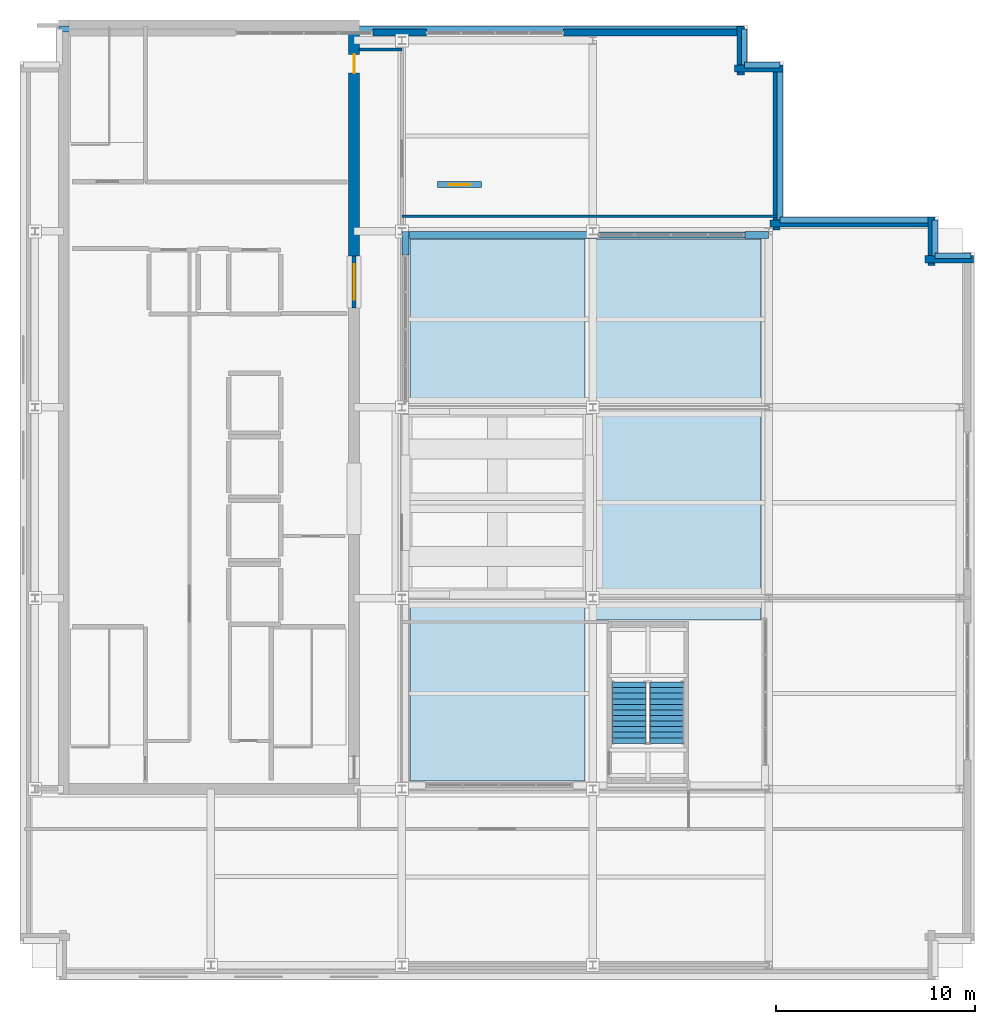
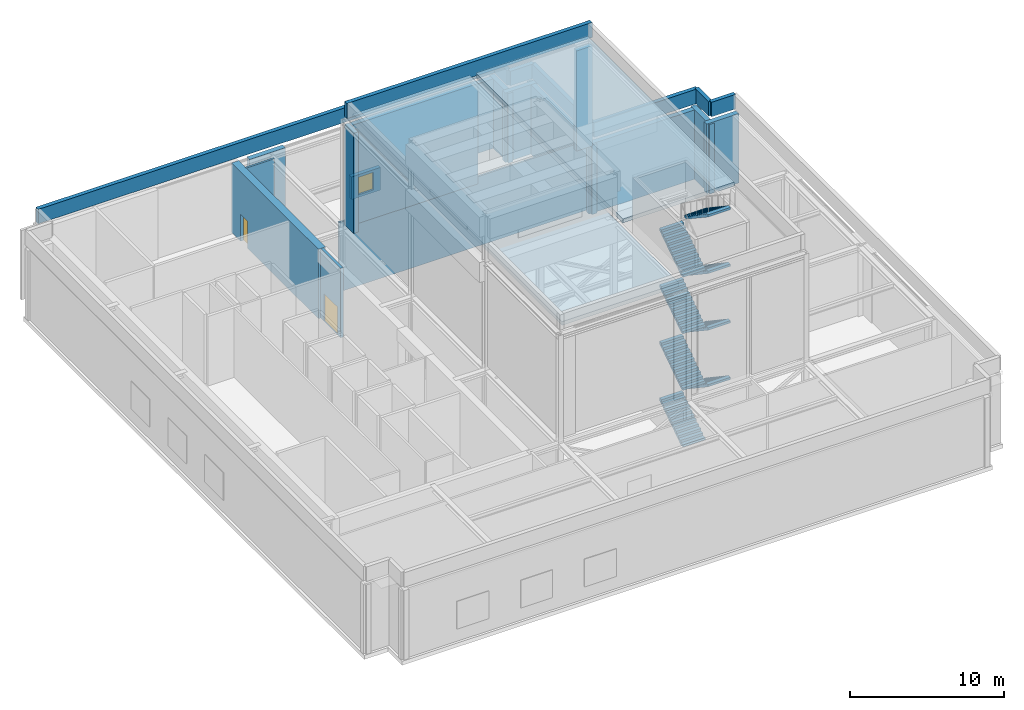
# One storey, part 7 of 17: 24 walls, 8 stair flights, 3 doors, 2 roofs, 3 openings, 1 element without a shape of its own.
"""IFC4 building model written with IfcOpenShell, lengths in metres."""

import ifcopenshell
import ifcopenshell.guid

model = None  # the IFC model being written
_history = None  # IfcOwnerHistory: only IFC2X3 demands one
_inside = {}  # id of a spatial element -> (the spatial element, [elements in it])
_under = {}  # id of a project, library or spatial element -> (it, [spatial elements below it])
_declared = {}  # id of a project -> (the project, [libraries it declares])
_typed = {}  # id of a type object -> (the type object, [elements of that type])
_made_of = {}  # id of a material, layer set ... -> (it, [elements and type objects made of it])


def new_model(schema):
    """Start an empty IFC model of exactly this schema.

    Asked for "IFC4X3", IfcOpenShell would pick the latest addendum, in which some entities
    have other attributes; the version numbers below select the first issue.
    IFC2X3 requires an IfcOwnerHistory on every rooted entity: one is made here for all.
    """
    global model, _history
    if schema == "IFC4X3":
        model = ifcopenshell.file(schema_version=(4, 3, 0, 0))
    else:
        model = ifcopenshell.file(schema=schema)
    _inside.clear()
    _under.clear()
    _declared.clear()
    _typed.clear()
    _made_of.clear()
    _history = None
    if model.schema == "IFC2X3":
        org = make("IfcOrganization", Name="unknown")
        user = make(
            "IfcPersonAndOrganization",
            ThePerson=make("IfcPerson", FamilyName="unknown"),
            TheOrganization=org,
        )
        app = make(
            "IfcApplication",
            ApplicationDeveloper=org,
            Version="unknown",
            ApplicationFullName="unknown",
            ApplicationIdentifier="unknown",
        )
        _history = make(
            "IfcOwnerHistory",
            OwningUser=user,
            OwningApplication=app,
            ChangeAction="ADDED",
            CreationDate=0,
        )
    return model


def make(cls, **values):
    """One entity of the class cls with the attributes given. An attribute that is None is left unset."""
    return model.create_entity(
        cls, **{name: value for name, value in values.items() if value is not None}
    )


def rooted(cls, **values):
    """An entity with a GlobalId (a new one), such as an element, a storey or a relation."""
    return make(cls, GlobalId=ifcopenshell.guid.new(), OwnerHistory=_history, **values)


def si_unit(unit_type, name, prefix=None):
    """IfcSIUnit, for example si_unit("LENGTHUNIT", "METRE", prefix="MILLI")."""
    return make("IfcSIUnit", UnitType=unit_type, Prefix=prefix, Name=name)


def assignment(units):
    """IfcUnitAssignment: the units of a project."""
    return None if units is None else make("IfcUnitAssignment", Units=units)


def point(xyz):
    """IfcCartesianPoint."""
    return None if xyz is None else make("IfcCartesianPoint", Coordinates=xyz)


def direction(xyz):
    """IfcDirection."""
    return None if xyz is None else make("IfcDirection", DirectionRatios=xyz)


def frame(location, z_axis=None, x_axis=None):
    """IfcAxis2Placement3D, a coordinate frame: its origin and axes. An axis left out is left unset."""
    return make(
        "IfcAxis2Placement3D",
        Location=point(location),
        Axis=direction(z_axis),
        RefDirection=direction(x_axis),
    )


def frame_2d(location, x_axis=None):
    """IfcAxis2Placement2D, a coordinate frame in the plane: its origin and x axis."""
    return make(
        "IfcAxis2Placement2D", Location=point(location), RefDirection=direction(x_axis)
    )


def origin():
    """The frame at (0, 0, 0) with its axes left unset."""
    return frame((0.0, 0.0, 0.0))


def place(relative_to, where):
    """IfcLocalPlacement: puts the frame where relative to a parent placement (None: the world)."""
    return make(
        "IfcLocalPlacement", PlacementRelTo=relative_to, RelativePlacement=where
    )


def context(
    kind, dimensions, precision=None, world=None, true_north=None, identifier=None
):
    """IfcGeometricRepresentationContext, for example the 3D "Model" context."""
    return make(
        "IfcGeometricRepresentationContext",
        ContextIdentifier=identifier,
        ContextType=kind,
        CoordinateSpaceDimension=dimensions,
        Precision=precision,
        WorldCoordinateSystem=world,
        TrueNorth=true_north,
    )


def subcontext(parent, identifier, kind, view, scale=None):
    """IfcGeometricRepresentationSubContext, for example "Body" below "Model"."""
    return make(
        "IfcGeometricRepresentationSubContext",
        ContextIdentifier=identifier,
        ContextType=kind,
        ParentContext=parent,
        TargetScale=scale,
        TargetView=view,
    )


def project(units=None, contexts=None):
    """IfcProject with its units and contexts."""
    return rooted(
        "IfcProject",
        Name="project",
        RepresentationContexts=contexts,
        UnitsInContext=assignment(units),
    )


def spatial(cls, under=None, at=None, **own):
    """A site, building, storey or space (cls), placed at a placement, below another one or the project."""
    s = rooted(cls, ObjectPlacement=at, **own)
    if under is not None:
        _under.setdefault(under.id(), (under, []))[1].append(s)
    return s


def polyline(points):
    """IfcPolyline through the points."""
    return make("IfcPolyline", Points=[point(p) for p in points])


def profile(cls, at=None, kind="AREA", **sizes):
    """A parametric profile (cls). Its sizes go by their IFC names, for example OverallWidth=200.0."""
    return make(cls, ProfileType=kind, Position=at, **sizes)


def rectangle(**sizes):
    """IfcRectangleProfileDef."""
    return profile("IfcRectangleProfileDef", **sizes)


def outline(outer, holes=None, kind="AREA"):
    """IfcArbitraryClosedProfileDef: a profile drawn as a closed curve; with holes, ...WithVoids."""
    if holes is None:
        return make("IfcArbitraryClosedProfileDef", ProfileType=kind, OuterCurve=outer)
    return make(
        "IfcArbitraryProfileDefWithVoids",
        ProfileType=kind,
        OuterCurve=outer,
        InnerCurves=holes,
    )


def extrude(swept, where, along, depth):
    """IfcExtrudedAreaSolid: the profile swept, set in the frame where, extruded along a direction by depth."""
    return make(
        "IfcExtrudedAreaSolid",
        SweptArea=swept,
        Position=where,
        ExtrudedDirection=direction(along),
        Depth=depth,
    )


def shape(context_of_items, identifier, shape_type, items):
    """IfcShapeRepresentation: the items that make up one representation, for example the "Body"."""
    return make(
        "IfcShapeRepresentation",
        ContextOfItems=context_of_items,
        RepresentationIdentifier=identifier,
        RepresentationType=shape_type,
        Items=items,
    )


def material(Name=None, Category=None):
    """IfcMaterial."""
    return make("IfcMaterial", Name=Name, Category=Category)


def layer(
    of_material, thickness, ventilated=None, Name=None, Category=None, Priority=None
):
    """IfcMaterialLayer: one layer of a wall or slab, of a material (None: an air gap)."""
    return make(
        "IfcMaterialLayer",
        Material=of_material,
        LayerThickness=thickness,
        IsVentilated=ventilated,
        Name=Name,
        Category=Category,
        Priority=Priority,
    )


def layer_set(layers, Name=None):
    """IfcMaterialLayerSet."""
    return make("IfcMaterialLayerSet", MaterialLayers=layers, LayerSetName=Name)


def made_of(thing, what):
    """Note that an element or type object is made of a material, layer set ...; save() writes the relation."""
    if what is not None:
        _made_of.setdefault(what.id(), (what, []))[1].append(thing)
    return thing


def type_object(cls, material=None, **own):
    """A type object (cls), such as IfcWallType, which elements share."""
    return made_of(rooted(cls, **own), material)


def element(
    cls,
    number,
    at=None,
    inside=None,
    cuts=None,
    type_object=None,
    material=None,
    context=None,
    identifier="Body",
    shape_type=None,
    held_by="IfcProductDefinitionShape",
    body=None,
    shapes=None,
    **own,
):
    """One element of the class cls, such as IfcWall. Its Tag is "e" and its number.

    at: its placement. inside: the storey or other place that contains it. cuts: it is an
    opening in that element (IfcRelVoidsElement). A single representation is given by context,
    identifier, shape_type and body (its items); several are given by shapes. held_by: the class
    of the entity that holds the representations. save() writes the other relations.
    """
    e = rooted(cls, Tag="e%d" % number, ObjectPlacement=at, **own)
    if body is not None:
        shapes = [shape(context, identifier, shape_type, body)]
    if shapes is not None:
        e.Representation = make(held_by, Representations=shapes)
    if inside is not None:
        _inside.setdefault(inside.id(), (inside, []))[1].append(e)
    if cuts is not None:
        rooted(
            "IfcRelVoidsElement", RelatingBuildingElement=cuts, RelatedOpeningElement=e
        )
    if type_object is not None:
        _typed.setdefault(type_object.id(), (type_object, []))[1].append(e)
    return made_of(e, material)


def fill(opening, filler):
    """IfcRelFillsElement: the door or window that sits in an opening."""
    return rooted(
        "IfcRelFillsElement",
        RelatingOpeningElement=opening,
        RelatedBuildingElement=filler,
    )


def aggregate(whole, parts):
    """IfcRelAggregates: a whole, such as a stair, and the parts it consists of."""
    return rooted("IfcRelAggregates", RelatingObject=whole, RelatedObjects=parts)


def save(model, path):
    """Write the relations noted so far, then the file.

    IfcRelAggregates (storeys below a building ...), IfcRelContainedInSpatialStructure (elements
    in a storey), IfcRelDefinesByType, IfcRelAssociatesMaterial and IfcRelDeclares: one each for
    every whole, place, type object, material and project.
    """
    for whole, parts in _under.values():
        aggregate(whole, parts)
    for where, things in _inside.values():
        rooted(
            "IfcRelContainedInSpatialStructure",
            RelatedElements=things,
            RelatingStructure=where,
        )
    for kind, things in _typed.values():
        rooted("IfcRelDefinesByType", RelatedObjects=things, RelatingType=kind)
    for what, things in _made_of.values():
        rooted("IfcRelAssociatesMaterial", RelatedObjects=things, RelatingMaterial=what)
    for by, libraries in _declared.values():
        rooted("IfcRelDeclares", RelatingContext=by, RelatedDefinitions=libraries)
    model.write(path)


model = new_model("IFC4")

# Units and contexts
model_context = context("Model", 3, precision=1e-05, world=origin(), true_north=direction((0.0, 1.0)))
body_context = subcontext(model_context, "Body", "Model", "MODEL_VIEW")
ifc_project = project(units=[si_unit("LENGTHUNIT", "METRE"), si_unit("AREAUNIT", "SQUARE_METRE"), si_unit("VOLUMEUNIT", "CUBIC_METRE"), si_unit("PLANEANGLEUNIT", "RADIAN"), si_unit("MASSUNIT", "GRAM", prefix="KILO")], contexts=[model_context])

# Site, building, storey
site_placement = place(None, origin())
site = spatial("IfcSite", under=ifc_project, at=site_placement, CompositionType="ELEMENT")
building_placement = place(site_placement, origin())
building = spatial("IfcBuilding", under=site, at=building_placement, Name="Norrvale University Quadrangle", CompositionType="ELEMENT")
storey_placement = place(building_placement, frame((0.0, 0.0, 308.0)))
storey = spatial("IfcBuildingStorey", under=building, at=storey_placement, Name="L78", CompositionType="ELEMENT", Elevation=308.0)

# Wall, opening, door
ifc_material_1 = material(Name="Concrete C60/75", Category="concrete")
ifc_layer_1 = layer(ifc_material_1, 0.550048828125, Name="Concrete C60/75")
ifc_layer_set_1 = layer_set([ifc_layer_1], Name="Concrete C60/75")
wall_type_1 = type_object("IfcWallType", Name="Wall Core 550", PredefinedType="SHEAR", material=ifc_layer_set_1)
wall_1_placement = place(storey_placement, frame((16.800048828125, 36.39990234375, 0.0), z_axis=(0.0, 0.0, 1.0), x_axis=(0.0, 1.0, 0.0)))
wall_1 = element("IfcWall", 1, at=wall_1_placement, inside=storey, type_object=wall_type_1, Name="Tower Core Shear Wall L78-E3", PredefinedType="SHEAR", context=body_context, shape_type="SweptSolid", body=[
    extrude(rectangle(XDim=11.3251953125, YDim=0.550048828125, at=frame_2d((5.66259765625, 0.0))), origin(), (0.0, 0.0, 1.0), 5.52001953125),
])
opening_1_placement = place(wall_1_placement, frame((9.199951171875, 0.0, 0.0)))
opening_1 = element("IfcOpeningElement", 2, at=opening_1_placement, cuts=wall_1, Name="Opening D07", PredefinedType="OPENING", context=body_context, shape_type="SweptSolid", body=[
    extrude(rectangle(XDim=0.949951171875, YDim=2.14990234375, at=frame_2d((0.47509765625, 1.074951171875))), frame((0.0, 0.287109375, 0.0), z_axis=(0.0, -1.0, 0.0), x_axis=(1.0, 0.0, 0.0)), (0.0, 0.0, 1.0), 0.573974609375),
])
ifc_material_2 = material(Name="Solid-Core Maple Door", Category="wood")
door_type_1 = type_object("IfcDoorType", Name="Door Office 950x2150", OperationType="NOTDEFINED", PredefinedType="DOOR", material=ifc_material_2)
door_1_placement = place(opening_1_placement, origin())
door_1 = element("IfcDoor", 3, at=door_1_placement, inside=storey, type_object=door_type_1, Name="Door Office 950x2150 DR-L78-NECORR", OperationType="SINGLE_SWING_LEFT", OverallHeight=2.14990234375, OverallWidth=0.949951171875, PredefinedType="DOOR", context=body_context, shape_type="SweptSolid", body=[
    extrude(rectangle(XDim=0.949951171875, YDim=2.14990234375, at=frame_2d((0.47509765625, 1.074951171875))), frame((0.0, 0.02490234375, 0.0), z_axis=(0.0, -1.0, 0.0), x_axis=(1.0, 0.0, 0.0)), (0.0, 0.0, 1.0), 0.050048828125),
])
fill(opening_1, door_1)

# Walls
ifc_material_3 = material(Name="Red Manganese Brick Masonry", Category="masonry")
ifc_layer_2 = layer(ifc_material_3, 0.360107421875, Name="Red Manganese Brick Masonry")
ifc_layer_set_2 = layer_set([ifc_layer_2], Name="Red Manganese Brick Masonry")
wall_type_2 = type_object("IfcWallType", Name="Wall Crown Brick 360", PredefinedType="SOLIDWALL", material=ifc_layer_set_2)
wall_2_placement = place(storey_placement, frame((47.9599609375, 36.239990234375, 0.0), z_axis=(0.0, 0.0, 1.0), x_axis=(-1.0, 0.0, 0.0)))
element("IfcWall", 4, at=wall_2_placement, inside=storey, type_object=wall_type_2, Name="Exterior Brick Facade Wall L78-05.1", PredefinedType="SOLIDWALL", context=body_context, shape_type="SweptSolid", body=[
    extrude(rectangle(XDim=2.43994140625, YDim=0.360107421875, at=frame_2d((1.219970703125, 0.0))), origin(), (0.0, 0.0, 1.0), 5.52001953125),
])
wall_3_placement = place(storey_placement, frame((45.840087890625, 35.919921875, 0.0), z_axis=(0.0, 0.0, 1.0), x_axis=(0.0, 1.0, 0.0)))
element("IfcWall", 5, at=wall_3_placement, inside=storey, type_object=wall_type_2, Name="Exterior Brick Facade Wall L78-06.1", PredefinedType="SOLIDWALL", context=body_context, shape_type="SweptSolid", body=[
    extrude(rectangle(XDim=2.440185546875, YDim=0.360107421875, at=frame_2d((1.22021484375, 0.0))), origin(), (0.0, 0.0, 1.0), 5.52001953125),
])
for number, where, z_axis, x_axis, name in (
    (6, (46.159912109375, 38.0400390625, 0.0), (0.0, 0.0, 1.0), (-1.0, 0.0, 0.0), "Exterior Brick Facade Wall L78-07.1"),
    (7, (38.0400390625, 37.719970703125, 0.0), (0.0, 0.0, 1.0), (0.0, 1.0, 0.0), "Exterior Brick Facade Wall L78-08.1"),
):
    element("IfcWall", number, at=place(storey_placement, frame(where, z_axis=z_axis, x_axis=x_axis)), inside=storey, type_object=wall_type_2, Name=name, PredefinedType="SOLIDWALL", context=body_context, shape_type="SweptSolid", body=[
        extrude(rectangle(XDim=8.43994140625, YDim=0.360107421875, at=frame_2d((4.219970703125, 0.0))), origin(), (0.0, 0.0, 1.0), 5.52001953125),
    ])
wall_4_placement = place(storey_placement, frame((38.360107421875, 45.840087890625, 0.0), z_axis=(0.0, 0.0, 1.0), x_axis=(-1.0, 0.0, 0.0)))
element("IfcWall", 8, at=wall_4_placement, inside=storey, type_object=wall_type_2, Name="Exterior Brick Facade Wall L78-09.1", PredefinedType="SOLIDWALL", context=body_context, shape_type="SweptSolid", body=[
    extrude(rectangle(XDim=2.440185546875, YDim=0.360107421875, at=frame_2d((1.22021484375, 0.0))), origin(), (0.0, 0.0, 1.0), 5.52001953125),
])
wall_5_placement = place(storey_placement, frame((36.239990234375, 45.52001953125, 0.0), z_axis=(0.0, 0.0, 1.0), x_axis=(0.0, 1.0, 0.0)))
element("IfcWall", 9, at=wall_5_placement, inside=storey, type_object=wall_type_2, Name="Exterior Brick Facade Wall L78-10.1", PredefinedType="SOLIDWALL", context=body_context, shape_type="SweptSolid", body=[
    extrude(rectangle(XDim=2.43994140625, YDim=0.360107421875, at=frame_2d((1.219970703125, 0.0))), origin(), (0.0, 0.0, 1.0), 5.52001953125),
])
wall_6_placement = place(storey_placement, frame((36.239990234375, 47.639892578125, 0.0), z_axis=(0.0, 0.0, 1.0), x_axis=(-1.0, 0.0, 0.0)))
element("IfcWall", 10, at=wall_6_placement, inside=storey, type_object=wall_type_2, Name="Crown Brick Pier 11.1", PredefinedType="SOLIDWALL", context=body_context, shape_type="SweptSolid", body=[
    extrude(rectangle(XDim=8.89990234375, YDim=0.360107421875, at=frame_2d((4.449951171875, 0.0))), origin(), (0.0, 0.0, 1.0), 5.52001953125),
])
wall_7_placement = place(storey_placement, frame((20.43994140625, 47.639892578125, 0.0), z_axis=(0.0, 0.0, 1.0), x_axis=(-1.0, 0.0, 0.0)))
element("IfcWall", 11, at=wall_7_placement, inside=storey, type_object=wall_type_2, Name="Crown Brick Pier 11.2", PredefinedType="SOLIDWALL", context=body_context, shape_type="SweptSolid", body=[
    extrude(rectangle(XDim=2.699951171875, YDim=0.360107421875, at=frame_2d((1.35009765625, 0.0))), origin(), (0.0, 0.0, 1.0), 5.52001953125),
])
wall_8_placement = place(storey_placement, frame((37.64990234375, 37.469970703125, 5.800048828125), z_axis=(0.0, 0.0, 1.0), x_axis=(-1.0, 0.0, 0.0)))
element("IfcWall", 12, at=wall_8_placement, inside=storey, type_object=wall_type_2, Name="Crown Lantern Brick Pier N1", PredefinedType="SOLIDWALL", context=body_context, shape_type="SweptSolid", body=[
    extrude(rectangle(XDim=1.199951171875, YDim=0.360107421875, at=frame_2d((0.60009765625, 0.0))), origin(), (0.0, 0.0, 1.0), 7.9638671875),
])
wall_9_placement = place(storey_placement, frame((29.050048828125, 37.469970703125, 5.800048828125), z_axis=(0.0, 0.0, 1.0), x_axis=(-1.0, 0.0, 0.0)))
element("IfcWall", 13, at=wall_9_placement, inside=storey, type_object=wall_type_2, Name="Crown Lantern Brick Pier N2", PredefinedType="SOLIDWALL", context=body_context, shape_type="SweptSolid", body=[
    extrude(rectangle(XDim=9.85009765625, YDim=0.360107421875, at=frame_2d((4.925048828125, 0.0))), origin(), (0.0, 0.0, 1.0), 7.9638671875),
])
wall_10_placement = place(storey_placement, frame((19.3798828125, 37.64990234375, 5.800048828125), z_axis=(0.0, 0.0, 1.0), x_axis=(0.0, -1.0, 0.0)))
element("IfcWall", 14, at=wall_10_placement, inside=storey, type_object=wall_type_2, Name="Crown Lantern Brick Pier W1", PredefinedType="SOLIDWALL", context=body_context, shape_type="SweptSolid", body=[
    extrude(rectangle(XDim=1.199951171875, YDim=0.360107421875, at=frame_2d((0.60009765625, 0.0))), origin(), (0.0, 0.0, 1.0), 7.9638671875),
])
ifc_material_4 = material(Name="Standard Academic Gypsum Partition")
ifc_layer_3 = layer(ifc_material_4, 0.125, Name="Standard Academic Gypsum Partition")
ifc_layer_set_3 = layer_set([ifc_layer_3], Name="Standard Academic Gypsum Partition")
wall_type_3 = type_object("IfcWallType", Name="Wall Gypsum Academic 125", PredefinedType="PARTITIONING", material=ifc_layer_set_3)
wall_11_placement = place(storey_placement, frame((19.199951171875, 38.39990234375, 0.0), z_axis=(0.0, 0.0, 1.0), x_axis=(1.0, 0.0, 0.0)))
element("IfcWall", 15, at=wall_11_placement, inside=storey, type_object=wall_type_3, Name="Interior Partition WL-L78-CF-S", PredefinedType="PARTITIONING", context=body_context, shape_type="SweptSolid", body=[
    extrude(rectangle(XDim=18.97998046875, YDim=0.125, at=frame_2d((9.489990234375, 0.0))), origin(), (0.0, 0.0, 1.0), 5.52001953125),
])
ifc_material_5 = material(Name="Fire-Rated Gypsum Stud Partition")
ifc_layer_4 = layer(ifc_material_5, 0.14990234375, Name="Fire-Rated Gypsum Stud Partition")
ifc_layer_set_4 = layer_set([ifc_layer_4], Name="Fire-Rated Gypsum Stud Partition")
wall_type_4 = type_object("IfcWallType", Name="Wall Gypsum Corridor 150", PredefinedType="PARTITIONING", material=ifc_layer_set_4)
wall_12_placement = place(storey_placement, frame((17.050048828125, 46.800048828125, 0.0), z_axis=(0.0, 0.0, 1.0), x_axis=(1.0, 0.0, 0.0)))
element("IfcWall", 16, at=wall_12_placement, inside=storey, type_object=wall_type_4, Name="Interior Partition WL-L78-PCN", PredefinedType="PARTITIONING", context=body_context, shape_type="SweptSolid", body=[
    extrude(rectangle(XDim=2.14990234375, YDim=0.14990234375, at=frame_2d((1.074951171875, 0.0))), origin(), (0.0, 0.0, 1.0), 5.52001953125),
])

# Wall, opening, door
ifc_material_6 = material(Name="Concrete Blockwork 20 MPa Rated Wall", Category="masonry")
ifc_layer_5 = layer(ifc_material_6, 0.199951171875, Name="Concrete Blockwork 20 MPa Rated Wall")
ifc_layer_set_5 = layer_set([ifc_layer_5], Name="Concrete Blockwork 20 MPa Rated Wall")
wall_type_5 = type_object("IfcWallType", Name="Wall Lobby 200", PredefinedType="SOLIDWALL", material=ifc_layer_set_5)
wall_13_placement = place(storey_placement, frame((16.800048828125, 33.800048828125, 0.0), z_axis=(0.0, 0.0, 1.0), x_axis=(0.0, 1.0, 0.0)))
wall_13 = element("IfcWall", 17, at=wall_13_placement, inside=storey, type_object=wall_type_5, Name="Interior Partition WL-L78-FFP", PredefinedType="SOLIDWALL", context=body_context, shape_type="SweptSolid", body=[
    extrude(rectangle(XDim=2.599853515625, YDim=0.199951171875, at=frame_2d((1.2998046875, 0.0))), origin(), (0.0, 0.0, 1.0), 5.52001953125),
])
opening_2_placement = place(wall_13_placement, frame((0.39990234375, 0.0, 0.0)))
opening_2 = element("IfcOpeningElement", 18, at=opening_2_placement, cuts=wall_13, Name="Opening D03", PredefinedType="OPENING", context=body_context, shape_type="SweptSolid", body=[
    extrude(rectangle(XDim=1.800048828125, YDim=2.199951171875, at=frame_2d((0.89990234375, 1.10009765625))), frame((0.0, 0.112060546875, 0.0), z_axis=(0.0, -1.0, 0.0), x_axis=(1.0, 0.0, 0.0)), (0.0, 0.0, 1.0), 0.223876953125),
])
ifc_material_7 = material(Name="Hollow Steel 350W Fire Door", Category="steel")
door_type_2 = type_object("IfcDoorType", Name="Door Fire Lobby 1800x2200", OperationType="DOUBLE_DOOR_SINGLE_SWING", PredefinedType="DOOR", material=ifc_material_7)
door_2_placement = place(opening_2_placement, origin())
door_2 = element("IfcDoor", 19, at=door_2_placement, inside=storey, type_object=door_type_2, Name="Door Fire Lobby 1800x2200 DR-L78-FFP", OperationType="DOUBLE_DOOR_SINGLE_SWING", OverallHeight=2.199951171875, OverallWidth=1.800048828125, PredefinedType="DOOR", context=body_context, shape_type="SweptSolid", body=[
    extrude(rectangle(XDim=1.800048828125, YDim=2.199951171875, at=frame_2d((0.89990234375, 1.10009765625))), frame((0.0, 0.02490234375, 0.0), z_axis=(0.0, -1.0, 0.0), x_axis=(1.0, 0.0, 0.0)), (0.0, 0.0, 1.0), 0.050048828125),
])
fill(opening_2, door_2)

# Walls
ifc_material_8 = material(Name="Buff Norman Clay Brick Masonry", Category="masonry")
ifc_layer_6 = layer(ifc_material_8, 0.300048828125, Name="Buff Norman Clay Brick Masonry")
ifc_layer_set_6 = layer_set([ifc_layer_6], Name="Buff Norman Clay Brick Masonry")
wall_type_6 = type_object("IfcWallType", Name="Wall Parapet 300", PredefinedType="PARAPET", material=ifc_layer_set_6)
for number, where, z_axis, x_axis, name in (
    (20, (47.820068359375, 36.419921875, 5.800048828125), (0.0, 0.0, 1.0), (-1.0, 0.0, 0.0), "Crown Lower Deck Parapet 05"),
    (21, (46.02001953125, 36.419921875, 5.800048828125), (0.0, 0.0, 1.0), (0.0, 1.0, 0.0), "Crown Lower Deck Parapet 06"),
):
    element("IfcWall", number, at=place(storey_placement, frame(where, z_axis=z_axis, x_axis=x_axis)), inside=storey, type_object=wall_type_6, Name=name, PredefinedType="PARAPET", context=body_context, shape_type="SweptSolid", body=[
        extrude(rectangle(XDim=1.800048828125, YDim=0.300048828125, at=frame_2d((0.89990234375, 0.0))), origin(), (0.0, 0.0, 1.0), 1.14990234375),
    ])
for number, where, z_axis, x_axis, name in (
    (22, (46.02001953125, 38.219970703125, 5.800048828125), (0.0, 0.0, 1.0), (-1.0, 0.0, 0.0), "Crown Lower Deck Parapet 07"),
    (23, (38.219970703125, 38.219970703125, 5.800048828125), (0.0, 0.0, 1.0), (0.0, 1.0, 0.0), "Crown Lower Deck Parapet 08"),
):
    element("IfcWall", number, at=place(storey_placement, frame(where, z_axis=z_axis, x_axis=x_axis)), inside=storey, type_object=wall_type_6, Name=name, PredefinedType="PARAPET", context=body_context, shape_type="SweptSolid", body=[
        extrude(rectangle(XDim=7.800048828125, YDim=0.300048828125, at=frame_2d((3.89990234375, 0.0))), origin(), (0.0, 0.0, 1.0), 1.14990234375),
    ])
for number, where, z_axis, x_axis, name in (
    (24, (38.219970703125, 46.02001953125, 5.800048828125), (0.0, 0.0, 1.0), (-1.0, 0.0, 0.0), "Crown Lower Deck Parapet 09"),
    (25, (36.419921875, 46.02001953125, 5.800048828125), (0.0, 0.0, 1.0), (0.0, 1.0, 0.0), "Crown Lower Deck Parapet 10"),
):
    element("IfcWall", number, at=place(storey_placement, frame(where, z_axis=z_axis, x_axis=x_axis)), inside=storey, type_object=wall_type_6, Name=name, PredefinedType="PARAPET", context=body_context, shape_type="SweptSolid", body=[
        extrude(rectangle(XDim=1.800048828125, YDim=0.300048828125, at=frame_2d((0.89990234375, 0.0))), origin(), (0.0, 0.0, 1.0), 1.14990234375),
    ])
wall_14_placement = place(storey_placement, frame((36.419921875, 47.820068359375, 5.800048828125), z_axis=(0.0, 0.0, 1.0), x_axis=(-1.0, 0.0, 0.0)))
element("IfcWall", 26, at=wall_14_placement, inside=storey, type_object=wall_type_6, Name="Crown Lower Deck Parapet 11", PredefinedType="PARAPET", context=body_context, shape_type="SweptSolid", body=[
    extrude(rectangle(XDim=34.43994140625, YDim=0.300048828125, at=frame_2d((17.219970703125, 0.0))), origin(), (0.0, 0.0, 1.0), 1.14990234375),
])
wall_15_placement = place(storey_placement, frame((37.64990234375, 37.469970703125, 14.39990234375), z_axis=(0.0, 0.0, 1.0), x_axis=(-1.0, 0.0, 0.0)))
element("IfcWall", 27, at=wall_15_placement, inside=storey, type_object=wall_type_6, Name="Crown Lantern Parapet N", PredefinedType="PARAPET", context=body_context, shape_type="SweptSolid", body=[
    extrude(rectangle(XDim=18.449951171875, YDim=0.300048828125, at=frame_2d((9.22509765625, 0.0))), origin(), (0.0, 0.0, 1.0), 1.2001953125),
])

# Wall, opening, door
wall_16_placement = place(storey_placement, frame((21.0, 40.0, 5.800048828125), z_axis=(0.0, 0.0, 1.0), x_axis=(1.0, 0.0, 0.0)))
wall_16 = element("IfcWall", 28, at=wall_16_placement, inside=storey, type_object=wall_type_6, Name="Crown Roof Maintenance Hatch Curb", PredefinedType="PARAPET", context=body_context, shape_type="SweptSolid", body=[
    extrude(rectangle(XDim=2.199951171875, YDim=0.300048828125, at=frame_2d((1.10009765625, 0.0))), origin(), (0.0, 0.0, 1.0), 1.800048828125),
])
opening_3_placement = place(wall_16_placement, frame((0.550048828125, 0.0, 0.199951171875)))
opening_3 = element("IfcOpeningElement", 29, at=opening_3_placement, cuts=wall_16, Name="Opening DH1", PredefinedType="OPENING", context=body_context, shape_type="SweptSolid", body=[
    extrude(rectangle(XDim=1.10009765625, YDim=1.39990234375, at=frame_2d((0.550048828125, 0.699951171875))), frame((0.0, 0.162109375, 0.0), z_axis=(0.0, -1.0, 0.0), x_axis=(1.0, 0.0, 0.0)), (0.0, 0.0, 1.0), 0.323974609375),
])
ifc_material_9 = material(Name="Anodized Aluminium 6063-T6 Roof Hatch", Category="aluminium")
door_type_3 = type_object("IfcDoorType", Name="Door Roof Hatch 1100x1400", OperationType="NOTDEFINED", PredefinedType="TRAPDOOR", material=ifc_material_9)
door_3_placement = place(opening_3_placement, origin())
door_3 = element("IfcDoor", 30, at=door_3_placement, inside=storey, type_object=door_type_3, Name="Door Roof Hatch 1100x1400 DR-L78-HATCH1", OperationType="SINGLE_SWING_LEFT", OverallHeight=1.39990234375, OverallWidth=1.10009765625, PredefinedType="TRAPDOOR", context=body_context, shape_type="SweptSolid", body=[
    extrude(rectangle(XDim=1.10009765625, YDim=1.39990234375, at=frame_2d((0.550048828125, 0.699951171875))), frame((0.0, 0.02490234375, 0.0), z_axis=(0.0, -1.0, 0.0), x_axis=(1.0, 0.0, 0.0)), (0.0, 0.0, 1.0), 0.050048828125),
])
fill(opening_3, door_3)

# Stair, stair flights
ifc_material_10 = material(Name="Concrete C40/50", Category="concrete")
stair_type = type_object("IfcStairType", Name="Stair Tower Crown 5800", PredefinedType="TWO_STRAIGHT_RUN_STAIR", material=ifc_material_10)
stair_placement = place(storey_placement, origin())
stair = element("IfcStair", 31, at=stair_placement, inside=storey, type_object=stair_type, Name="Crown Spire Access Stair ST-04 L78", PredefinedType="TWO_STRAIGHT_RUN_STAIR")
stair_flight_type = type_object("IfcStairFlightType", Name="Flight Typ 1500", PredefinedType="STRAIGHT", material=ifc_material_10)
stair_flight_1_placement = place(storey_placement, frame((30.6298828125, 11.89990234375, 0.0), z_axis=(0.0, 0.0, 1.0), x_axis=(0.0, 1.0, 0.0)))
stair_flight_1 = element("IfcStairFlight", 32, at=stair_flight_1_placement, type_object=stair_flight_type, Name="Crown Access Stair ST-04 L78 Flight 1", NumberOfRisers=12, NumberOfTreads=11, PredefinedType="STRAIGHT", RiserHeight=0.1875, TreadLength=0.28, context=body_context, shape_type="SweptSolid", body=[
    extrude(outline(polyline([(0.0, 0.0), (0.0, 0.1875), (0.280029296875, 0.1875), (0.280029296875, 0.375), (0.56005859375, 0.375), (0.56005859375, 0.5625), (0.840087890625, 0.5625), (0.840087890625, 0.75), (1.1201171875, 0.75), (1.1201171875, 0.9375), (1.39990234375, 0.9375), (1.39990234375, 1.125), (1.679931640625, 1.125), (1.679931640625, 1.3125), (1.9599609375, 1.3125), (1.9599609375, 1.5), (2.239990234375, 1.5), (2.239990234375, 1.6875), (2.52001953125, 1.6875), (2.52001953125, 1.875), (2.800048828125, 1.875), (2.800048828125, 2.0625), (3.080078125, 2.0625), (3.080078125, 2.25), (3.080078125, 1.882080078125), (0.26953125, 0.0), (0.0, 0.0)])), frame((0.0, 0.83984375, 0.0), z_axis=(0.0, -1.0, 0.0), x_axis=(1.0, 0.0, 0.0)), (0.0, 0.0, 1.0), 1.679931640625),
])
stair_flight_2_placement = place(storey_placement, frame((32.52001953125, 14.97998046875, 2.25), z_axis=(0.0, 0.0, 1.0), x_axis=(0.0, -1.0, 0.0)))
stair_flight_2 = element("IfcStairFlight", 33, at=stair_flight_2_placement, type_object=stair_flight_type, Name="Crown Access Stair ST-04 L78 Flight 2", NumberOfRisers=12, NumberOfTreads=11, PredefinedType="STRAIGHT", RiserHeight=0.1875, TreadLength=0.28, context=body_context, shape_type="SweptSolid", body=[
    extrude(outline(polyline([(0.0, 0.0), (0.0, 0.1875), (0.280029296875, 0.1875), (0.280029296875, 0.375), (0.56005859375, 0.375), (0.56005859375, 0.5625), (0.840087890625, 0.5625), (0.840087890625, 0.75), (1.1201171875, 0.75), (1.1201171875, 0.9375), (1.39990234375, 0.9375), (1.39990234375, 1.125), (1.679931640625, 1.125), (1.679931640625, 1.3125), (1.9599609375, 1.3125), (1.9599609375, 1.5), (2.239990234375, 1.5), (2.239990234375, 1.6875), (2.52001953125, 1.6875), (2.52001953125, 1.875), (2.800048828125, 1.875), (2.800048828125, 2.0625), (3.080078125, 2.0625), (3.080078125, 2.25), (3.080078125, 1.882080078125), (0.26953125, 0.0), (0.0, 0.0)])), frame((0.0, 0.83984375, 0.0), z_axis=(0.0, -1.0, 0.0), x_axis=(1.0, 0.0, 0.0)), (0.0, 0.0, 1.0), 1.679931640625),
])
stair_flight_3_placement = place(storey_placement, frame((30.6298828125, 11.89990234375, 4.5), z_axis=(0.0, 0.0, 1.0), x_axis=(0.0, 1.0, 0.0)))
stair_flight_3 = element("IfcStairFlight", 34, at=stair_flight_3_placement, type_object=stair_flight_type, Name="Crown Access Stair ST-04 L78 Flight 3", NumberOfRisers=12, NumberOfTreads=11, PredefinedType="STRAIGHT", RiserHeight=0.1875, TreadLength=0.28, context=body_context, shape_type="SweptSolid", body=[
    extrude(outline(polyline([(0.0, 0.0), (0.0, 0.1875), (0.280029296875, 0.1875), (0.280029296875, 0.375), (0.56005859375, 0.375), (0.56005859375, 0.5625), (0.840087890625, 0.5625), (0.840087890625, 0.75), (1.1201171875, 0.75), (1.1201171875, 0.9375), (1.39990234375, 0.9375), (1.39990234375, 1.125), (1.679931640625, 1.125), (1.679931640625, 1.3125), (1.9599609375, 1.3125), (1.9599609375, 1.5), (2.239990234375, 1.5), (2.239990234375, 1.6875), (2.52001953125, 1.6875), (2.52001953125, 1.875), (2.800048828125, 1.875), (2.800048828125, 2.0625), (3.080078125, 2.0625), (3.080078125, 2.25), (3.080078125, 1.882080078125), (0.26953125, 0.0), (0.0, 0.0)])), frame((0.0, 0.83984375, 0.0), z_axis=(0.0, -1.0, 0.0), x_axis=(1.0, 0.0, 0.0)), (0.0, 0.0, 1.0), 1.679931640625),
])
stair_flight_4_placement = place(storey_placement, frame((32.52001953125, 14.97998046875, 6.75), z_axis=(0.0, 0.0, 1.0), x_axis=(0.0, -1.0, 0.0)))
stair_flight_4 = element("IfcStairFlight", 35, at=stair_flight_4_placement, type_object=stair_flight_type, Name="Crown Access Stair ST-04 L78 Flight 4", NumberOfRisers=12, NumberOfTreads=11, PredefinedType="STRAIGHT", RiserHeight=0.1875, TreadLength=0.28, context=body_context, shape_type="SweptSolid", body=[
    extrude(outline(polyline([(0.0, 0.0), (0.0, 0.1875), (0.280029296875, 0.1875), (0.280029296875, 0.375), (0.56005859375, 0.375), (0.56005859375, 0.5625), (0.840087890625, 0.5625), (0.840087890625, 0.75), (1.1201171875, 0.75), (1.1201171875, 0.9375), (1.39990234375, 0.9375), (1.39990234375, 1.125), (1.679931640625, 1.125), (1.679931640625, 1.3125), (1.9599609375, 1.3125), (1.9599609375, 1.5), (2.239990234375, 1.5), (2.239990234375, 1.6875), (2.52001953125, 1.6875), (2.52001953125, 1.875), (2.800048828125, 1.875), (2.800048828125, 2.0625), (3.080078125, 2.0625), (3.080078125, 2.25), (3.080078125, 1.882080078125), (0.26953125, 0.0), (0.0, 0.0)])), frame((0.0, 0.83984375, 0.0), z_axis=(0.0, -1.0, 0.0), x_axis=(1.0, 0.0, 0.0)), (0.0, 0.0, 1.0), 1.679931640625),
])
stair_flight_5_placement = place(storey_placement, frame((30.6298828125, 11.89990234375, 9.0), z_axis=(0.0, 0.0, 1.0), x_axis=(0.0, 1.0, 0.0)))
stair_flight_5 = element("IfcStairFlight", 36, at=stair_flight_5_placement, type_object=stair_flight_type, Name="Crown Access Stair ST-04 L78 Flight 5", NumberOfRisers=12, NumberOfTreads=11, PredefinedType="STRAIGHT", RiserHeight=0.1875, TreadLength=0.28, context=body_context, shape_type="SweptSolid", body=[
    extrude(outline(polyline([(0.0, 0.0), (0.0, 0.1875), (0.280029296875, 0.1875), (0.280029296875, 0.375), (0.56005859375, 0.375), (0.56005859375, 0.5625), (0.840087890625, 0.5625), (0.840087890625, 0.75), (1.1201171875, 0.75), (1.1201171875, 0.9375), (1.39990234375, 0.9375), (1.39990234375, 1.125), (1.679931640625, 1.125), (1.679931640625, 1.3125), (1.9599609375, 1.3125), (1.9599609375, 1.5), (2.239990234375, 1.5), (2.239990234375, 1.6875), (2.52001953125, 1.6875), (2.52001953125, 1.875), (2.800048828125, 1.875), (2.800048828125, 2.0625), (3.080078125, 2.0625), (3.080078125, 2.25), (3.080078125, 1.882080078125), (0.26953125, 0.0), (0.0, 0.0)])), frame((0.0, 0.83984375, 0.0), z_axis=(0.0, -1.0, 0.0), x_axis=(1.0, 0.0, 0.0)), (0.0, 0.0, 1.0), 1.679931640625),
])
stair_flight_6_placement = place(storey_placement, frame((32.52001953125, 14.97998046875, 11.25), z_axis=(0.0, 0.0, 1.0), x_axis=(0.0, -1.0, 0.0)))
stair_flight_6 = element("IfcStairFlight", 37, at=stair_flight_6_placement, type_object=stair_flight_type, Name="Crown Access Stair ST-04 L78 Flight 6", NumberOfRisers=12, NumberOfTreads=11, PredefinedType="STRAIGHT", RiserHeight=0.1875, TreadLength=0.28, context=body_context, shape_type="SweptSolid", body=[
    extrude(outline(polyline([(0.0, 0.0), (0.0, 0.1875), (0.280029296875, 0.1875), (0.280029296875, 0.375), (0.56005859375, 0.375), (0.56005859375, 0.5625), (0.840087890625, 0.5625), (0.840087890625, 0.75), (1.1201171875, 0.75), (1.1201171875, 0.9375), (1.39990234375, 0.9375), (1.39990234375, 1.125), (1.679931640625, 1.125), (1.679931640625, 1.3125), (1.9599609375, 1.3125), (1.9599609375, 1.5), (2.239990234375, 1.5), (2.239990234375, 1.6875), (2.52001953125, 1.6875), (2.52001953125, 1.875), (2.800048828125, 1.875), (2.800048828125, 2.0625), (3.080078125, 2.0625), (3.080078125, 2.25), (3.080078125, 1.882080078125), (0.26953125, 0.0), (0.0, 0.0)])), frame((0.0, 0.83984375, 0.0), z_axis=(0.0, -1.0, 0.0), x_axis=(1.0, 0.0, 0.0)), (0.0, 0.0, 1.0), 1.679931640625),
])
stair_flight_7_placement = place(storey_placement, frame((30.6298828125, 11.89990234375, 13.5), z_axis=(0.0, 0.0, 1.0), x_axis=(0.0, 1.0, 0.0)))
stair_flight_7 = element("IfcStairFlight", 38, at=stair_flight_7_placement, type_object=stair_flight_type, Name="Crown Access Stair ST-04 L78 Flight 7", NumberOfRisers=12, NumberOfTreads=11, PredefinedType="STRAIGHT", RiserHeight=0.1875, TreadLength=0.28, context=body_context, shape_type="SweptSolid", body=[
    extrude(outline(polyline([(0.0, 0.0), (0.0, 0.1875), (0.280029296875, 0.1875), (0.280029296875, 0.375), (0.56005859375, 0.375), (0.56005859375, 0.5625), (0.840087890625, 0.5625), (0.840087890625, 0.75), (1.1201171875, 0.75), (1.1201171875, 0.9375), (1.39990234375, 0.9375), (1.39990234375, 1.125), (1.679931640625, 1.125), (1.679931640625, 1.3125), (1.9599609375, 1.3125), (1.9599609375, 1.5), (2.239990234375, 1.5), (2.239990234375, 1.6875), (2.52001953125, 1.6875), (2.52001953125, 1.875), (2.800048828125, 1.875), (2.800048828125, 2.0625), (3.080078125, 2.0625), (3.080078125, 2.25), (3.080078125, 1.882080078125), (0.26953125, 0.0), (0.0, 0.0)])), frame((0.0, 0.83984375, 0.0), z_axis=(0.0, -1.0, 0.0), x_axis=(1.0, 0.0, 0.0)), (0.0, 0.0, 1.0), 1.679931640625),
])
stair_flight_8_placement = place(storey_placement, frame((32.52001953125, 14.97998046875, 15.75), z_axis=(0.0, 0.0, 1.0), x_axis=(0.0, -1.0, 0.0)))
stair_flight_8 = element("IfcStairFlight", 39, at=stair_flight_8_placement, type_object=stair_flight_type, Name="Crown Access Stair ST-04 L78 Flight 8", NumberOfRisers=12, NumberOfTreads=11, PredefinedType="STRAIGHT", RiserHeight=0.1875, TreadLength=0.28, context=body_context, shape_type="SweptSolid", body=[
    extrude(outline(polyline([(0.0, 0.0), (0.0, 0.1875), (0.280029296875, 0.1875), (0.280029296875, 0.375), (0.56005859375, 0.375), (0.56005859375, 0.5625), (0.840087890625, 0.5625), (0.840087890625, 0.75), (1.1201171875, 0.75), (1.1201171875, 0.9375), (1.39990234375, 0.9375), (1.39990234375, 1.125), (1.679931640625, 1.125), (1.679931640625, 1.3125), (1.9599609375, 1.3125), (1.9599609375, 1.5), (2.239990234375, 1.5), (2.239990234375, 1.6875), (2.52001953125, 1.6875), (2.52001953125, 1.875), (2.800048828125, 1.875), (2.800048828125, 2.0625), (3.080078125, 2.0625), (3.080078125, 2.25), (3.080078125, 1.882080078125), (0.26953125, 0.0), (0.0, 0.0)])), frame((0.0, 0.83984375, 0.0), z_axis=(0.0, -1.0, 0.0), x_axis=(1.0, 0.0, 0.0)), (0.0, 0.0, 1.0), 1.679931640625),
])
aggregate(stair, [stair_flight_1, stair_flight_2, stair_flight_3, stair_flight_4, stair_flight_5, stair_flight_6, stair_flight_7, stair_flight_8])

# Roofs
ifc_material_11 = material(Name="Concrete C50/60", Category="concrete")
ifc_layer_7 = layer(ifc_material_11, 0.300048828125, Name="Concrete C50/60")
ifc_layer_set_7 = layer_set([ifc_layer_7], Name="Concrete C50/60")
roof_type = type_object("IfcRoofType", Name="Roof Crown Cap 300", PredefinedType="FLAT_ROOF", material=ifc_layer_set_7)
roof_1_placement = place(storey_placement, frame((0.0, 0.0, 14.39990234375)))
element("IfcRoof", 40, at=roof_1_placement, inside=storey, type_object=roof_type, Name="Crown Lantern West Roof Cap", PredefinedType="FLAT_ROOF", context=body_context, shape_type="SweptSolid", body=[
    extrude(outline(polyline([(19.60009765625, 10.0), (28.39990234375, 10.0), (28.39990234375, 37.25), (19.60009765625, 37.25), (19.60009765625, 10.0)])), origin(), (0.0, 0.0, 1.0), 0.300048828125),
])
roof_2_placement = place(storey_placement, frame((0.0, 0.0, 14.39990234375)))
element("IfcRoof", 41, at=roof_2_placement, inside=storey, type_object=roof_type, Name="Crown Lantern East Roof Cap", PredefinedType="FLAT_ROOF", context=body_context, shape_type="SweptSolid", body=[
    extrude(outline(polyline([(28.85009765625, 18.10009765625), (37.25, 18.10009765625), (37.25, 37.25), (28.85009765625, 37.25), (28.85009765625, 18.10009765625)])), origin(), (0.0, 0.0, 1.0), 0.300048828125),
])

save(model, "model.ifc")
